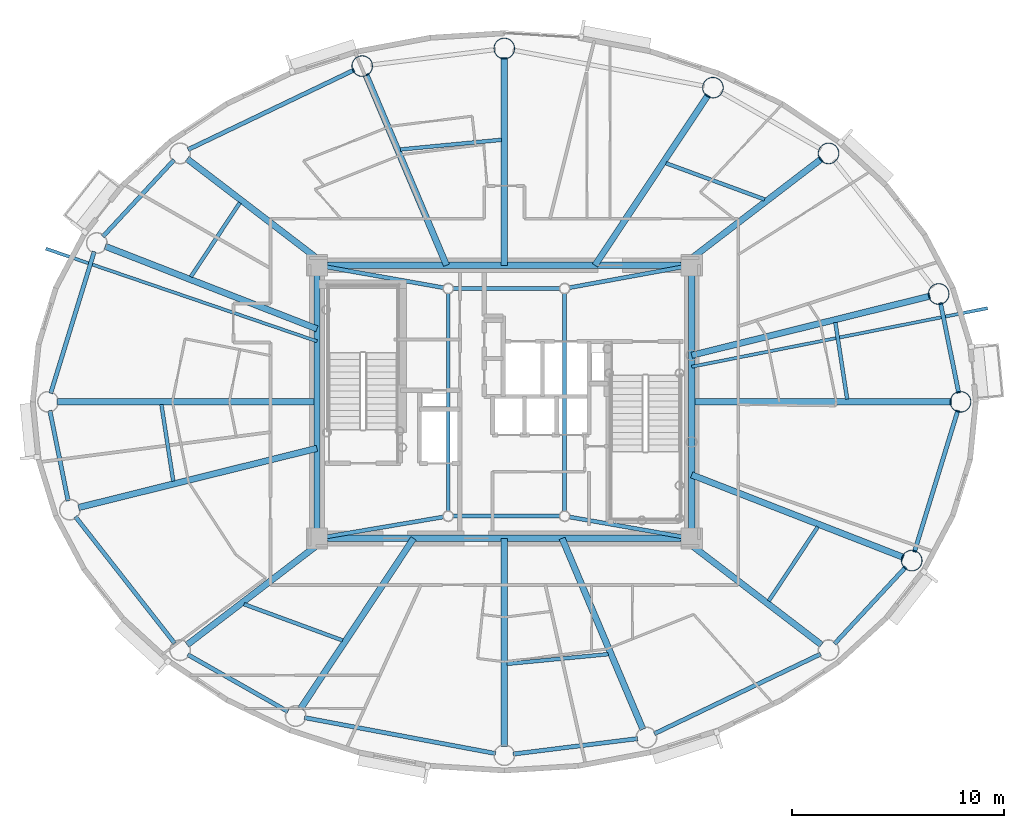
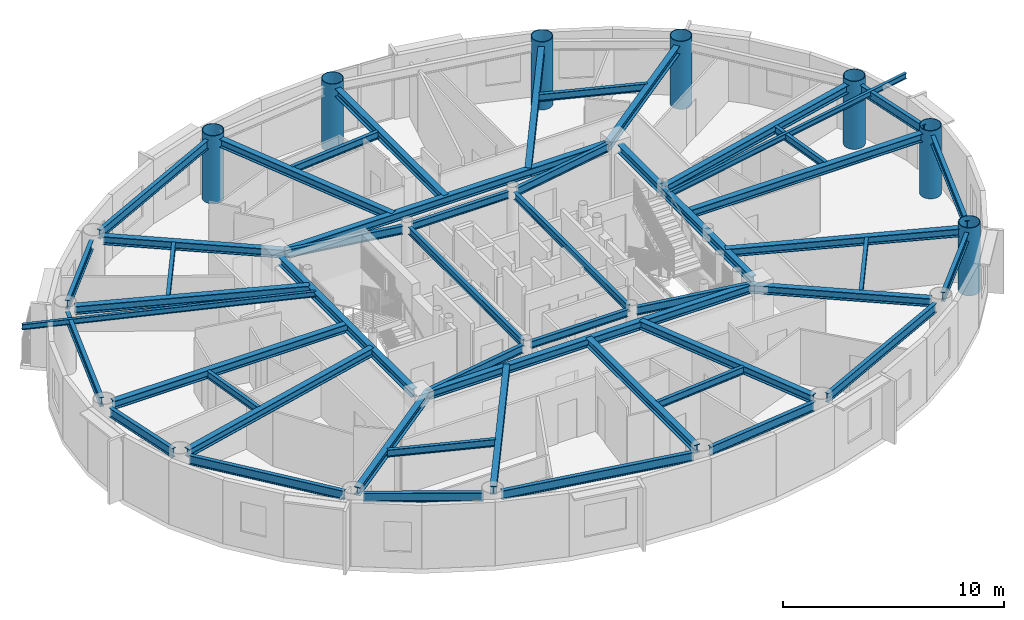
# One storey, part 2 of 17: 50 beams, 7 columns.
"""IFC4 building model written with IfcOpenShell, lengths in metres."""

import ifcopenshell
import ifcopenshell.guid

model = None  # the IFC model being written
_history = None  # IfcOwnerHistory: only IFC2X3 demands one
_inside = {}  # id of a spatial element -> (the spatial element, [elements in it])
_under = {}  # id of a project, library or spatial element -> (it, [spatial elements below it])
_declared = {}  # id of a project -> (the project, [libraries it declares])
_typed = {}  # id of a type object -> (the type object, [elements of that type])
_made_of = {}  # id of a material, layer set ... -> (it, [elements and type objects made of it])


def new_model(schema):
    """Start an empty IFC model of exactly this schema.

    Asked for "IFC4X3", IfcOpenShell would pick the latest addendum, in which some entities
    have other attributes; the version numbers below select the first issue.
    IFC2X3 requires an IfcOwnerHistory on every rooted entity: one is made here for all.
    """
    global model, _history
    if schema == "IFC4X3":
        model = ifcopenshell.file(schema_version=(4, 3, 0, 0))
    else:
        model = ifcopenshell.file(schema=schema)
    _inside.clear()
    _under.clear()
    _declared.clear()
    _typed.clear()
    _made_of.clear()
    _history = None
    if model.schema == "IFC2X3":
        org = make("IfcOrganization", Name="unknown")
        user = make(
            "IfcPersonAndOrganization",
            ThePerson=make("IfcPerson", FamilyName="unknown"),
            TheOrganization=org,
        )
        app = make(
            "IfcApplication",
            ApplicationDeveloper=org,
            Version="unknown",
            ApplicationFullName="unknown",
            ApplicationIdentifier="unknown",
        )
        _history = make(
            "IfcOwnerHistory",
            OwningUser=user,
            OwningApplication=app,
            ChangeAction="ADDED",
            CreationDate=0,
        )
    return model


def make(cls, **values):
    """One entity of the class cls with the attributes given. An attribute that is None is left unset."""
    return model.create_entity(
        cls, **{name: value for name, value in values.items() if value is not None}
    )


def rooted(cls, **values):
    """An entity with a GlobalId (a new one), such as an element, a storey or a relation."""
    return make(cls, GlobalId=ifcopenshell.guid.new(), OwnerHistory=_history, **values)


def si_unit(unit_type, name, prefix=None):
    """IfcSIUnit, for example si_unit("LENGTHUNIT", "METRE", prefix="MILLI")."""
    return make("IfcSIUnit", UnitType=unit_type, Prefix=prefix, Name=name)


def assignment(units):
    """IfcUnitAssignment: the units of a project."""
    return None if units is None else make("IfcUnitAssignment", Units=units)


def point(xyz):
    """IfcCartesianPoint."""
    return None if xyz is None else make("IfcCartesianPoint", Coordinates=xyz)


def direction(xyz):
    """IfcDirection."""
    return None if xyz is None else make("IfcDirection", DirectionRatios=xyz)


def frame(location, z_axis=None, x_axis=None):
    """IfcAxis2Placement3D, a coordinate frame: its origin and axes. An axis left out is left unset."""
    return make(
        "IfcAxis2Placement3D",
        Location=point(location),
        Axis=direction(z_axis),
        RefDirection=direction(x_axis),
    )


def frame_2d(location, x_axis=None):
    """IfcAxis2Placement2D, a coordinate frame in the plane: its origin and x axis."""
    return make(
        "IfcAxis2Placement2D", Location=point(location), RefDirection=direction(x_axis)
    )


def origin():
    """The frame at (0, 0, 0) with its axes left unset."""
    return frame((0.0, 0.0, 0.0))


def origin_2d():
    """The frame at (0, 0) in the plane with its x axis left unset."""
    return frame_2d((0.0, 0.0))


def place(relative_to, where):
    """IfcLocalPlacement: puts the frame where relative to a parent placement (None: the world)."""
    return make(
        "IfcLocalPlacement", PlacementRelTo=relative_to, RelativePlacement=where
    )


def context(
    kind, dimensions, precision=None, world=None, true_north=None, identifier=None
):
    """IfcGeometricRepresentationContext, for example the 3D "Model" context."""
    return make(
        "IfcGeometricRepresentationContext",
        ContextIdentifier=identifier,
        ContextType=kind,
        CoordinateSpaceDimension=dimensions,
        Precision=precision,
        WorldCoordinateSystem=world,
        TrueNorth=true_north,
    )


def subcontext(parent, identifier, kind, view, scale=None):
    """IfcGeometricRepresentationSubContext, for example "Body" below "Model"."""
    return make(
        "IfcGeometricRepresentationSubContext",
        ContextIdentifier=identifier,
        ContextType=kind,
        ParentContext=parent,
        TargetScale=scale,
        TargetView=view,
    )


def project(units=None, contexts=None):
    """IfcProject with its units and contexts."""
    return rooted(
        "IfcProject",
        Name="project",
        RepresentationContexts=contexts,
        UnitsInContext=assignment(units),
    )


def spatial(cls, under=None, at=None, **own):
    """A site, building, storey or space (cls), placed at a placement, below another one or the project."""
    s = rooted(cls, ObjectPlacement=at, **own)
    if under is not None:
        _under.setdefault(under.id(), (under, []))[1].append(s)
    return s


def profile(cls, at=None, kind="AREA", **sizes):
    """A parametric profile (cls). Its sizes go by their IFC names, for example OverallWidth=200.0."""
    return make(cls, ProfileType=kind, Position=at, **sizes)


def hollow_circle(**sizes):
    """IfcCircleHollowProfileDef."""
    return profile("IfcCircleHollowProfileDef", **sizes)


def i_section(**sizes):
    """IfcIShapeProfileDef."""
    return profile("IfcIShapeProfileDef", **sizes)


def extrude(swept, where, along, depth):
    """IfcExtrudedAreaSolid: the profile swept, set in the frame where, extruded along a direction by depth."""
    return make(
        "IfcExtrudedAreaSolid",
        SweptArea=swept,
        Position=where,
        ExtrudedDirection=direction(along),
        Depth=depth,
    )


def shape(context_of_items, identifier, shape_type, items):
    """IfcShapeRepresentation: the items that make up one representation, for example the "Body"."""
    return make(
        "IfcShapeRepresentation",
        ContextOfItems=context_of_items,
        RepresentationIdentifier=identifier,
        RepresentationType=shape_type,
        Items=items,
    )


def material(Name=None, Category=None):
    """IfcMaterial."""
    return make("IfcMaterial", Name=Name, Category=Category)


def material_profile(
    of_material, cross_section, Name=None, Category=None, Priority=None
):
    """IfcMaterialProfile: a cross section and its material."""
    return make(
        "IfcMaterialProfile",
        Name=Name,
        Material=of_material,
        Profile=cross_section,
        Priority=Priority,
        Category=Category,
    )


def profile_set(profiles, Name=None, composite=None):
    """IfcMaterialProfileSet."""
    return make(
        "IfcMaterialProfileSet",
        Name=Name,
        MaterialProfiles=profiles,
        CompositeProfile=composite,
    )


def made_of(thing, what):
    """Note that an element or type object is made of a material, layer set ...; save() writes the relation."""
    if what is not None:
        _made_of.setdefault(what.id(), (what, []))[1].append(thing)
    return thing


def type_object(cls, material=None, **own):
    """A type object (cls), such as IfcWallType, which elements share."""
    return made_of(rooted(cls, **own), material)


def element(
    cls,
    number,
    at=None,
    inside=None,
    cuts=None,
    type_object=None,
    material=None,
    context=None,
    identifier="Body",
    shape_type=None,
    held_by="IfcProductDefinitionShape",
    body=None,
    shapes=None,
    **own,
):
    """One element of the class cls, such as IfcWall. Its Tag is "e" and its number.

    at: its placement. inside: the storey or other place that contains it. cuts: it is an
    opening in that element (IfcRelVoidsElement). A single representation is given by context,
    identifier, shape_type and body (its items); several are given by shapes. held_by: the class
    of the entity that holds the representations. save() writes the other relations.
    """
    e = rooted(cls, Tag="e%d" % number, ObjectPlacement=at, **own)
    if body is not None:
        shapes = [shape(context, identifier, shape_type, body)]
    if shapes is not None:
        e.Representation = make(held_by, Representations=shapes)
    if inside is not None:
        _inside.setdefault(inside.id(), (inside, []))[1].append(e)
    if cuts is not None:
        rooted(
            "IfcRelVoidsElement", RelatingBuildingElement=cuts, RelatedOpeningElement=e
        )
    if type_object is not None:
        _typed.setdefault(type_object.id(), (type_object, []))[1].append(e)
    return made_of(e, material)


def aggregate(whole, parts):
    """IfcRelAggregates: a whole, such as a stair, and the parts it consists of."""
    return rooted("IfcRelAggregates", RelatingObject=whole, RelatedObjects=parts)


def save(model, path):
    """Write the relations noted so far, then the file.

    IfcRelAggregates (storeys below a building ...), IfcRelContainedInSpatialStructure (elements
    in a storey), IfcRelDefinesByType, IfcRelAssociatesMaterial and IfcRelDeclares: one each for
    every whole, place, type object, material and project.
    """
    for whole, parts in _under.values():
        aggregate(whole, parts)
    for where, things in _inside.values():
        rooted(
            "IfcRelContainedInSpatialStructure",
            RelatedElements=things,
            RelatingStructure=where,
        )
    for kind, things in _typed.values():
        rooted("IfcRelDefinesByType", RelatedObjects=things, RelatingType=kind)
    for what, things in _made_of.values():
        rooted("IfcRelAssociatesMaterial", RelatedObjects=things, RelatingMaterial=what)
    for by, libraries in _declared.values():
        rooted("IfcRelDeclares", RelatingContext=by, RelatedDefinitions=libraries)
    model.write(path)


model = new_model("IFC4")

# Units and contexts
model_context = context("Model", 3, precision=1e-05, world=origin(), true_north=direction((0.0, 1.0)))
body_context = subcontext(model_context, "Body", "Model", "MODEL_VIEW")
ifc_project = project(units=[si_unit("LENGTHUNIT", "METRE"), si_unit("AREAUNIT", "SQUARE_METRE"), si_unit("VOLUMEUNIT", "CUBIC_METRE"), si_unit("PLANEANGLEUNIT", "RADIAN"), si_unit("MASSUNIT", "GRAM", prefix="KILO")], contexts=[model_context])

# Site, building, storey
site_placement = place(None, origin())
site = spatial("IfcSite", under=ifc_project, at=site_placement, CompositionType="ELEMENT")
building_placement = place(site_placement, origin())
building = spatial("IfcBuilding", under=site, at=building_placement, Name="Linh Dai School and Residence Tower", CompositionType="ELEMENT")
storey_placement = place(building_placement, frame((0.0, 0.0, 299.25)))
storey = spatial("IfcBuildingStorey", under=building, at=storey_placement, Name="L74", CompositionType="ELEMENT", Elevation=299.25)

# Columns
ifc_material = material(Name="Structural Steel S355JR", Category="steel")
ifc_material_profile_1 = material_profile(ifc_material, hollow_circle(Radius=0.5, WallThickness=0.031982421875, at=origin_2d()), Name="CHS 1000x32")
ifc_profile_set_1 = profile_set([ifc_material_profile_1], Name="Structural Steel S355JR")
column_type = type_object("IfcColumnType", Name="COL-MC6", PredefinedType="COLUMN", material=ifc_profile_set_1)
for number, where, z_axis, x_axis, name in (
    (1, (57.550048828125, 27.0, 0.0), (0.0, 0.0, 1.0), (1.0, 0.0, 0.0), "L74 Perimeter CFT Mega-Column MC01"),
    (2, (56.5185546875, 32.094482421875, 0.0), (0.0, 0.0, 1.0), (1.0, 0.0, 0.0), "L74 Perimeter CFT Mega-Column MC02"),
    (3, (51.315185546875, 38.7333984375, 0.0), (0.0, 0.0, 1.0), (1.0, 0.0, 0.0), "L74 Perimeter CFT Mega-Column MC03"),
    (4, (45.8544921875, 41.8388671875, 0.0), (0.0, 0.0, 1.0), (1.0, 0.0, 0.0), "L74 Perimeter CFT Mega-Column MC04"),
    (5, (36.0, 43.68994140625, 0.0), (0.0, 0.0, 1.0), (1.0, 0.0, 0.0), "L74 Perimeter CFT Mega-Column MC05"),
    (6, (29.28759765625, 42.857666015625, 0.0), (0.0, 0.0, 1.0), (1.0, 0.0, 0.0), "L74 Perimeter CFT Mega-Column MC06"),
    (7, (55.24609375, 19.50048828125, 0.0), (0.0, 0.0, 1.0), (1.0, 0.0, 0.0), "L74 Perimeter CFT Mega-Column MC16"),
):
    element("IfcColumn", number, at=place(storey_placement, frame(where, z_axis=z_axis, x_axis=x_axis)), inside=storey, type_object=column_type, Name=name, PredefinedType="COLUMN", context=body_context, shape_type="SweptSolid", body=[
        extrude(hollow_circle(Radius=0.5, WallThickness=0.031982421875, at=origin_2d()), origin(), (0.0, 0.0, 1.0), 3.75),
    ])

# Beams
ifc_material_profile_2 = material_profile(ifc_material, i_section(OverallWidth=0.14990234375, OverallDepth=0.300048828125, WebThickness=0.007080078125, FlangeThickness=0.0107421875, at=origin_2d()), Name="IPE 300")
ifc_profile_set_2 = profile_set([ifc_material_profile_2], Name="Structural Steel S355JR")
beam_type_1 = type_object("IfcBeamType", Name="BM-BALC-CANT", PredefinedType="BEAM", material=ifc_profile_set_2)
beam_1_placement = place(storey_placement, frame((44.85009765625, 28.657958984375, 3.35009765625), z_axis=(0.98098726072, 0.194072136859, 0.0), x_axis=(-0.194072136859, 0.98098726072, 0.0)))
element("IfcBeam", 8, at=beam_1_placement, inside=storey, type_object=beam_type_1, Name="L75 Balcony Continuous Cantilever Beam 02", PredefinedType="BEAM", context=body_context, shape_type="SweptSolid", body=[
    extrude(i_section(OverallWidth=0.14990234375, OverallDepth=0.300048828125, WebThickness=0.007080078125, FlangeThickness=0.0107421875, at=origin_2d()), origin(), (0.0, 0.0, 1.0), 14.244140625),
])
beam_2_placement = place(storey_placement, frame((27.14990234375, 29.86083984375, 3.35009765625), z_axis=(-0.946337745038, 0.323179319136, 0.0), x_axis=(-0.323179319136, -0.946337745038, 0.0)))
element("IfcBeam", 9, at=beam_2_placement, inside=storey, type_object=beam_type_1, Name="L75 Balcony Continuous Cantilever Beam 18", PredefinedType="BEAM", context=body_context, shape_type="SweptSolid", body=[
    extrude(i_section(OverallWidth=0.14990234375, OverallDepth=0.300048828125, WebThickness=0.007080078125, FlangeThickness=0.0107421875, at=origin_2d()), origin(), (0.0, 0.0, 1.0), 13.532958984375),
])
ifc_material_profile_3 = material_profile(ifc_material, i_section(OverallWidth=0.199951171875, OverallDepth=0.5, WebThickness=0.01025390625, FlangeThickness=0.01611328125, FilletRadius=0.02099609375, at=origin_2d()), Name="IPE 500")
ifc_profile_set_3 = profile_set([ifc_material_profile_3], Name="Structural Steel S355JR")
beam_type_2 = type_object("IfcBeamType", Name="BM-RB50", PredefinedType="BEAM", material=ifc_profile_set_3)
beam_3_placement = place(storey_placement, frame((57.466552734375, 27.41162109375, 3.25), z_axis=(-0.198442801529, 0.980112470343, 0.0), x_axis=(-0.980112470343, -0.198442801529, 0.0)))
element("IfcBeam", 10, at=beam_3_placement, inside=storey, type_object=beam_type_2, Name="L74 Perimeter Elliptical Ring Beam 01", PredefinedType="BEAM", context=body_context, shape_type="SweptSolid", body=[
    extrude(i_section(OverallWidth=0.199951171875, OverallDepth=0.5, WebThickness=0.01025390625, FlangeThickness=0.01611328125, FilletRadius=0.02099609375, at=origin_2d()), origin(), (0.0, 0.0, 1.0), 4.357666015625),
])
beam_4_placement = place(storey_placement, frame((28.908935546875, 42.67626953125, 3.25), z_axis=(-0.901728757887, -0.4323022637, 0.0), x_axis=(0.4323022637, -0.901728757887, 0.0)))
element("IfcBeam", 11, at=beam_4_placement, inside=storey, type_object=beam_type_2, Name="L74 Perimeter Elliptical Ring Beam 06", PredefinedType="BEAM", context=body_context, shape_type="SweptSolid", body=[
    extrude(i_section(OverallWidth=0.199951171875, OverallDepth=0.5, WebThickness=0.01025390625, FlangeThickness=0.01611328125, FilletRadius=0.02099609375, at=origin_2d()), origin(), (0.0, 0.0, 1.0), 8.700439453125),
])
beam_5_placement = place(storey_placement, frame((20.399169921875, 38.425537109375, 3.25), z_axis=(-0.680415064526, -0.7328269509, 0.0), x_axis=(0.7328269509, -0.680415064526, 0.0)))
element("IfcBeam", 12, at=beam_5_placement, inside=storey, type_object=beam_type_2, Name="L74 Perimeter Elliptical Ring Beam 07", PredefinedType="BEAM", context=body_context, shape_type="SweptSolid", body=[
    extrude(i_section(OverallWidth=0.199951171875, OverallDepth=0.5, WebThickness=0.01025390625, FlangeThickness=0.01611328125, FilletRadius=0.02099609375, at=origin_2d()), origin(), (0.0, 0.0, 1.0), 4.9375),
])
beam_6_placement = place(storey_placement, frame((16.630615234375, 34.097900390625, 3.25), z_axis=(-0.293681749834, -0.955903253376, 0.0), x_axis=(0.955903253376, -0.293681749834, 0.0)))
element("IfcBeam", 13, at=beam_6_placement, inside=storey, type_object=beam_type_2, Name="L74 Perimeter Elliptical Ring Beam 08", PredefinedType="BEAM", context=body_context, shape_type="SweptSolid", body=[
    extrude(i_section(OverallWidth=0.199951171875, OverallDepth=0.5, WebThickness=0.01025390625, FlangeThickness=0.01611328125, FilletRadius=0.02099609375, at=origin_2d()), origin(), (0.0, 0.0, 1.0), 7.00537109375),
])
beam_7_placement = place(storey_placement, frame((14.533447265625, 26.58837890625, 3.25), z_axis=(0.198442801529, -0.980112470343, 0.0), x_axis=(0.980112470343, 0.198442801529, 0.0)))
element("IfcBeam", 14, at=beam_7_placement, inside=storey, type_object=beam_type_2, Name="L74 Perimeter Elliptical Ring Beam 09", PredefinedType="BEAM", context=body_context, shape_type="SweptSolid", body=[
    extrude(i_section(OverallWidth=0.199951171875, OverallDepth=0.5, WebThickness=0.01025390625, FlangeThickness=0.01611328125, FilletRadius=0.02099609375, at=origin_2d()), origin(), (0.0, 0.0, 1.0), 4.357666015625),
])
beam_8_placement = place(storey_placement, frame((15.740478515625, 21.574951171875, 3.25), z_axis=(0.616882739554, -0.787055071542, 0.0), x_axis=(0.787055071542, 0.616882739554, 0.0)))
element("IfcBeam", 15, at=beam_8_placement, inside=storey, type_object=beam_type_2, Name="L74 Perimeter Elliptical Ring Beam 10", PredefinedType="BEAM", context=body_context, shape_type="SweptSolid", body=[
    extrude(i_section(OverallWidth=0.199951171875, OverallDepth=0.5, WebThickness=0.01025390625, FlangeThickness=0.01611328125, FilletRadius=0.02099609375, at=origin_2d()), origin(), (0.0, 0.0, 1.0), 7.59521484375),
])
beam_9_placement = place(storey_placement, frame((21.050048828125, 15.05908203125, 3.25), z_axis=(0.869265548778, -0.494345431564, 0.0), x_axis=(0.494345431564, 0.869265548778, 0.0)))
element("IfcBeam", 16, at=beam_9_placement, inside=storey, type_object=beam_type_2, Name="L74 Perimeter Elliptical Ring Beam 11", PredefinedType="BEAM", context=body_context, shape_type="SweptSolid", body=[
    extrude(i_section(OverallWidth=0.199951171875, OverallDepth=0.5, WebThickness=0.01025390625, FlangeThickness=0.01611328125, FilletRadius=0.02099609375, at=origin_2d()), origin(), (0.0, 0.0, 1.0), 5.44189453125),
])
beam_10_placement = place(storey_placement, frame((26.558349609375, 12.083740234375, 3.25), z_axis=(0.982805333306, -0.184644731378, 0.0), x_axis=(0.184644731378, 0.982805333306, 0.0)))
element("IfcBeam", 17, at=beam_10_placement, inside=storey, type_object=beam_type_2, Name="L74 Perimeter Elliptical Ring Beam 12", PredefinedType="BEAM", context=body_context, shape_type="SweptSolid", body=[
    extrude(i_section(OverallWidth=0.199951171875, OverallDepth=0.5, WebThickness=0.01025390625, FlangeThickness=0.01611328125, FilletRadius=0.02099609375, at=origin_2d()), origin(), (0.0, 0.0, 1.0), 9.186767578125),
])
beam_11_placement = place(storey_placement, frame((36.416748046875, 10.361572265625, 3.25), z_axis=(0.992399134443, 0.123060789678, 0.0), x_axis=(-0.123060789678, 0.992399134443, 0.0)))
element("IfcBeam", 18, at=beam_11_placement, inside=storey, type_object=beam_type_2, Name="L74 Perimeter Elliptical Ring Beam 13", PredefinedType="BEAM", context=body_context, shape_type="SweptSolid", body=[
    extrude(i_section(OverallWidth=0.199951171875, OverallDepth=0.5, WebThickness=0.01025390625, FlangeThickness=0.01611328125, FilletRadius=0.02099609375, at=origin_2d()), origin(), (0.0, 0.0, 1.0), 5.923828125),
])
beam_12_placement = place(storey_placement, frame((43.091064453125, 11.32373046875, 3.25), z_axis=(0.901728757887, 0.4323022637, 0.0), x_axis=(-0.4323022637, 0.901728757887, 0.0)))
element("IfcBeam", 19, at=beam_12_placement, inside=storey, type_object=beam_type_2, Name="L74 Perimeter Elliptical Ring Beam 14", PredefinedType="BEAM", context=body_context, shape_type="SweptSolid", body=[
    extrude(i_section(OverallWidth=0.199951171875, OverallDepth=0.5, WebThickness=0.01025390625, FlangeThickness=0.01611328125, FilletRadius=0.02099609375, at=origin_2d()), origin(), (0.0, 0.0, 1.0), 8.700439453125),
])
beam_13_placement = place(storey_placement, frame((51.600830078125, 15.574462890625, 3.25), z_axis=(0.680415064526, 0.7328269509, 0.0), x_axis=(-0.7328269509, 0.680415064526, 0.0)))
element("IfcBeam", 20, at=beam_13_placement, inside=storey, type_object=beam_type_2, Name="L74 Perimeter Elliptical Ring Beam 15", PredefinedType="BEAM", context=body_context, shape_type="SweptSolid", body=[
    extrude(i_section(OverallWidth=0.199951171875, OverallDepth=0.5, WebThickness=0.01025390625, FlangeThickness=0.01611328125, FilletRadius=0.02099609375, at=origin_2d()), origin(), (0.0, 0.0, 1.0), 4.9375),
])
beam_14_placement = place(storey_placement, frame((55.369384765625, 19.902099609375, 3.25), z_axis=(0.293681749834, 0.955903253376, 0.0), x_axis=(-0.955903253376, 0.293681749834, 0.0)))
element("IfcBeam", 21, at=beam_14_placement, inside=storey, type_object=beam_type_2, Name="L74 Perimeter Elliptical Ring Beam 16", PredefinedType="BEAM", context=body_context, shape_type="SweptSolid", body=[
    extrude(i_section(OverallWidth=0.199951171875, OverallDepth=0.5, WebThickness=0.01025390625, FlangeThickness=0.01611328125, FilletRadius=0.02099609375, at=origin_2d()), origin(), (0.0, 0.0, 1.0), 7.00537109375),
])
ifc_material_profile_4 = material_profile(ifc_material, i_section(OverallWidth=0.300048828125, OverallDepth=0.449951171875, WebThickness=0.013916015625, FlangeThickness=0.02587890625, FilletRadius=0.027099609375, at=origin_2d()), Name="HEB 450")
ifc_profile_set_4 = profile_set([ifc_material_profile_4], Name="Structural Steel S355JR")
beam_type_3 = type_object("IfcBeamType", Name="BM-RG45", PredefinedType="BEAM", material=ifc_profile_set_4)
beam_15_placement = place(storey_placement, frame((27.570068359375, 20.550048828125, 3.27490234375), z_axis=(1.0, 0.0, 0.0), x_axis=(0.0, 1.0, 0.0)))
element("IfcBeam", 22, at=beam_15_placement, inside=storey, type_object=beam_type_3, Name="L74 Core Perimeter Coupling Girder 1", PredefinedType="BEAM", context=body_context, shape_type="SweptSolid", body=[
    extrude(i_section(OverallWidth=0.300048828125, OverallDepth=0.449951171875, WebThickness=0.013916015625, FlangeThickness=0.02587890625, FilletRadius=0.027099609375, at=origin_2d()), origin(), (0.0, 0.0, 1.0), 16.85986328125),
])
beam_16_placement = place(storey_placement, frame((44.85009765625, 20.969970703125, 3.27490234375), z_axis=(0.0, 1.0, 0.0), x_axis=(-1.0, 0.0, 0.0)))
element("IfcBeam", 23, at=beam_16_placement, inside=storey, type_object=beam_type_3, Name="L74 Core Perimeter Coupling Girder 2", PredefinedType="BEAM", context=body_context, shape_type="SweptSolid", body=[
    extrude(i_section(OverallWidth=0.300048828125, OverallDepth=0.449951171875, WebThickness=0.013916015625, FlangeThickness=0.02587890625, FilletRadius=0.027099609375, at=origin_2d()), origin(), (0.0, 0.0, 1.0), 12.06005859375),
])
beam_17_placement = place(storey_placement, frame((44.429931640625, 33.449951171875, 3.27490234375), z_axis=(-1.0, 0.0, 0.0), x_axis=(0.0, -1.0, 0.0)))
element("IfcBeam", 24, at=beam_17_placement, inside=storey, type_object=beam_type_3, Name="L74 Core Perimeter Coupling Girder 3", PredefinedType="BEAM", context=body_context, shape_type="SweptSolid", body=[
    extrude(i_section(OverallWidth=0.300048828125, OverallDepth=0.449951171875, WebThickness=0.013916015625, FlangeThickness=0.02587890625, FilletRadius=0.027099609375, at=origin_2d()), origin(), (0.0, 0.0, 1.0), 16.85986328125),
])
beam_18_placement = place(storey_placement, frame((27.14990234375, 33.030029296875, 3.27490234375), z_axis=(0.0, -1.0, 0.0), x_axis=(1.0, 0.0, 0.0)))
element("IfcBeam", 25, at=beam_18_placement, inside=storey, type_object=beam_type_3, Name="L74 Core Perimeter Coupling Girder 4", PredefinedType="BEAM", context=body_context, shape_type="SweptSolid", body=[
    extrude(i_section(OverallWidth=0.300048828125, OverallDepth=0.449951171875, WebThickness=0.013916015625, FlangeThickness=0.02587890625, FilletRadius=0.027099609375, at=origin_2d()), origin(), (0.0, 0.0, 1.0), 12.06005859375),
])
beam_19_placement = place(storey_placement, frame((44.85009765625, 27.0, 3.27490234375), z_axis=(1.0, 0.0, 0.0), x_axis=(0.0, 1.0, 0.0)))
element("IfcBeam", 26, at=beam_19_placement, inside=storey, type_object=beam_type_3, Name="L74 Primary Radial Floor Girder 01", PredefinedType="BEAM", context=body_context, shape_type="SweptSolid", body=[
    extrude(i_section(OverallWidth=0.300048828125, OverallDepth=0.449951171875, WebThickness=0.013916015625, FlangeThickness=0.02587890625, FilletRadius=0.027099609375, at=origin_2d()), origin(), (0.0, 0.0, 1.0), 12.27978515625),
])
beam_20_placement = place(storey_placement, frame((44.85009765625, 29.197265625, 3.27490234375), z_axis=(0.970532368701, 0.240970789315, 0.0), x_axis=(-0.240970789315, 0.970532368701, 0.0)))
element("IfcBeam", 27, at=beam_20_placement, inside=storey, type_object=beam_type_3, Name="L74 Primary Radial Floor Girder 02", PredefinedType="BEAM", context=body_context, shape_type="SweptSolid", body=[
    extrude(i_section(OverallWidth=0.300048828125, OverallDepth=0.449951171875, WebThickness=0.013916015625, FlangeThickness=0.02587890625, FilletRadius=0.027099609375, at=origin_2d()), origin(), (0.0, 0.0, 1.0), 11.6025390625),
])
beam_21_placement = place(storey_placement, frame((44.4189453125, 33.449951171875, 3.27490234375), z_axis=(0.793802616583, 0.608175472956, 0.0), x_axis=(-0.608175472956, 0.793802616583, 0.0)))
element("IfcBeam", 28, at=beam_21_placement, inside=storey, type_object=beam_type_3, Name="L74 Primary Radial Floor Girder 03", PredefinedType="BEAM", context=body_context, shape_type="SweptSolid", body=[
    extrude(i_section(OverallWidth=0.300048828125, OverallDepth=0.449951171875, WebThickness=0.013916015625, FlangeThickness=0.02587890625, FilletRadius=0.027099609375, at=origin_2d()), origin(), (0.0, 0.0, 1.0), 8.267578125),
])
beam_22_placement = place(storey_placement, frame((40.283447265625, 33.449951171875, 3.27490234375), z_axis=(0.553210566646, 0.833041456922, 0.0), x_axis=(-0.833041456922, 0.553210566646, 0.0)))
element("IfcBeam", 29, at=beam_22_placement, inside=storey, type_object=beam_type_3, Name="L74 Primary Radial Floor Girder 04", PredefinedType="BEAM", context=body_context, shape_type="SweptSolid", body=[
    extrude(i_section(OverallWidth=0.300048828125, OverallDepth=0.449951171875, WebThickness=0.013916015625, FlangeThickness=0.02587890625, FilletRadius=0.027099609375, at=origin_2d()), origin(), (0.0, 0.0, 1.0), 9.650146484375),
])
beam_23_placement = place(storey_placement, frame((36.0, 33.449951171875, 3.27490234375), z_axis=(0.0, 1.0, 0.0), x_axis=(-1.0, 0.0, 0.0)))
element("IfcBeam", 30, at=beam_23_placement, inside=storey, type_object=beam_type_3, Name="L74 Primary Radial Floor Girder 05", PredefinedType="BEAM", context=body_context, shape_type="SweptSolid", body=[
    extrude(i_section(OverallWidth=0.300048828125, OverallDepth=0.449951171875, WebThickness=0.013916015625, FlangeThickness=0.02587890625, FilletRadius=0.027099609375, at=origin_2d()), origin(), (0.0, 0.0, 1.0), 9.820068359375),
])
beam_24_placement = place(storey_placement, frame((33.269775390625, 33.449951171875, 3.27490234375), z_axis=(-0.389794463678, 0.920901881899, 0.0), x_axis=(-0.920901881899, -0.389794463678, 0.0)))
element("IfcBeam", 31, at=beam_24_placement, inside=storey, type_object=beam_type_3, Name="L74 Primary Radial Floor Girder 06", PredefinedType="BEAM", context=body_context, shape_type="SweptSolid", body=[
    extrude(i_section(OverallWidth=0.300048828125, OverallDepth=0.449951171875, WebThickness=0.013916015625, FlangeThickness=0.02587890625, FilletRadius=0.027099609375, at=origin_2d()), origin(), (0.0, 0.0, 1.0), 9.7958984375),
])
beam_25_placement = place(storey_placement, frame((27.5810546875, 33.449951171875, 3.27490234375), z_axis=(-0.793802616583, 0.608175472956, 0.0), x_axis=(-0.608175472956, -0.793802616583, 0.0)))
element("IfcBeam", 32, at=beam_25_placement, inside=storey, type_object=beam_type_3, Name="L74 Primary Radial Floor Girder 07", PredefinedType="BEAM", context=body_context, shape_type="SweptSolid", body=[
    extrude(i_section(OverallWidth=0.300048828125, OverallDepth=0.449951171875, WebThickness=0.013916015625, FlangeThickness=0.02587890625, FilletRadius=0.027099609375, at=origin_2d()), origin(), (0.0, 0.0, 1.0), 8.267578125),
])
beam_26_placement = place(storey_placement, frame((27.14990234375, 30.448486328125, 3.27490234375), z_axis=(-0.931760809838, 0.363072710693, 0.0), x_axis=(-0.363072710693, -0.931760809838, 0.0)))
element("IfcBeam", 33, at=beam_26_placement, inside=storey, type_object=beam_type_3, Name="L74 Primary Radial Floor Girder 08", PredefinedType="BEAM", context=body_context, shape_type="SweptSolid", body=[
    extrude(i_section(OverallWidth=0.300048828125, OverallDepth=0.449951171875, WebThickness=0.013916015625, FlangeThickness=0.02587890625, FilletRadius=0.027099609375, at=origin_2d()), origin(), (0.0, 0.0, 1.0), 10.7373046875),
])
beam_27_placement = place(storey_placement, frame((27.14990234375, 27.0, 3.27490234375), z_axis=(-1.0, 0.0, 0.0), x_axis=(0.0, -1.0, 0.0)))
element("IfcBeam", 34, at=beam_27_placement, inside=storey, type_object=beam_type_3, Name="L74 Primary Radial Floor Girder 09", PredefinedType="BEAM", context=body_context, shape_type="SweptSolid", body=[
    extrude(i_section(OverallWidth=0.300048828125, OverallDepth=0.449951171875, WebThickness=0.013916015625, FlangeThickness=0.02587890625, FilletRadius=0.027099609375, at=origin_2d()), origin(), (0.0, 0.0, 1.0), 12.27978515625),
])
beam_28_placement = place(storey_placement, frame((27.14990234375, 24.802734375, 3.27490234375), z_axis=(-0.970532368701, -0.240970789315, 0.0), x_axis=(0.240970789315, -0.970532368701, 0.0)))
element("IfcBeam", 35, at=beam_28_placement, inside=storey, type_object=beam_type_3, Name="L74 Primary Radial Floor Girder 10", PredefinedType="BEAM", context=body_context, shape_type="SweptSolid", body=[
    extrude(i_section(OverallWidth=0.300048828125, OverallDepth=0.449951171875, WebThickness=0.013916015625, FlangeThickness=0.02587890625, FilletRadius=0.027099609375, at=origin_2d()), origin(), (0.0, 0.0, 1.0), 11.6025390625),
])
beam_29_placement = place(storey_placement, frame((27.5810546875, 20.550048828125, 3.27490234375), z_axis=(-0.793802616583, -0.608175472956, 0.0), x_axis=(0.608175472956, -0.793802616583, 0.0)))
element("IfcBeam", 36, at=beam_29_placement, inside=storey, type_object=beam_type_3, Name="L74 Primary Radial Floor Girder 11", PredefinedType="BEAM", context=body_context, shape_type="SweptSolid", body=[
    extrude(i_section(OverallWidth=0.300048828125, OverallDepth=0.449951171875, WebThickness=0.013916015625, FlangeThickness=0.02587890625, FilletRadius=0.027099609375, at=origin_2d()), origin(), (0.0, 0.0, 1.0), 8.267578125),
])
beam_30_placement = place(storey_placement, frame((31.716552734375, 20.550048828125, 3.27490234375), z_axis=(-0.553210566646, -0.833041456922, 0.0), x_axis=(0.833041456922, -0.553210566646, 0.0)))
element("IfcBeam", 37, at=beam_30_placement, inside=storey, type_object=beam_type_3, Name="L74 Primary Radial Floor Girder 12", PredefinedType="BEAM", context=body_context, shape_type="SweptSolid", body=[
    extrude(i_section(OverallWidth=0.300048828125, OverallDepth=0.449951171875, WebThickness=0.013916015625, FlangeThickness=0.02587890625, FilletRadius=0.027099609375, at=origin_2d()), origin(), (0.0, 0.0, 1.0), 9.650146484375),
])
beam_31_placement = place(storey_placement, frame((36.0, 20.550048828125, 3.27490234375), z_axis=(0.0, -1.0, 0.0), x_axis=(1.0, 0.0, 0.0)))
element("IfcBeam", 38, at=beam_31_placement, inside=storey, type_object=beam_type_3, Name="L74 Primary Radial Floor Girder 13", PredefinedType="BEAM", context=body_context, shape_type="SweptSolid", body=[
    extrude(i_section(OverallWidth=0.300048828125, OverallDepth=0.449951171875, WebThickness=0.013916015625, FlangeThickness=0.02587890625, FilletRadius=0.027099609375, at=origin_2d()), origin(), (0.0, 0.0, 1.0), 9.820068359375),
])
beam_32_placement = place(storey_placement, frame((38.730224609375, 20.550048828125, 3.27490234375), z_axis=(0.389794463678, -0.920901881899, 0.0), x_axis=(0.920901881899, 0.389794463678, 0.0)))
element("IfcBeam", 39, at=beam_32_placement, inside=storey, type_object=beam_type_3, Name="L74 Primary Radial Floor Girder 14", PredefinedType="BEAM", context=body_context, shape_type="SweptSolid", body=[
    extrude(i_section(OverallWidth=0.300048828125, OverallDepth=0.449951171875, WebThickness=0.013916015625, FlangeThickness=0.02587890625, FilletRadius=0.027099609375, at=origin_2d()), origin(), (0.0, 0.0, 1.0), 9.7958984375),
])
beam_33_placement = place(storey_placement, frame((44.4189453125, 20.550048828125, 3.27490234375), z_axis=(0.793802616583, -0.608175472956, 0.0), x_axis=(0.608175472956, 0.793802616583, 0.0)))
element("IfcBeam", 40, at=beam_33_placement, inside=storey, type_object=beam_type_3, Name="L74 Primary Radial Floor Girder 15", PredefinedType="BEAM", context=body_context, shape_type="SweptSolid", body=[
    extrude(i_section(OverallWidth=0.300048828125, OverallDepth=0.449951171875, WebThickness=0.013916015625, FlangeThickness=0.02587890625, FilletRadius=0.027099609375, at=origin_2d()), origin(), (0.0, 0.0, 1.0), 8.267578125),
])
beam_34_placement = place(storey_placement, frame((44.85009765625, 23.551513671875, 3.27490234375), z_axis=(0.931760809838, -0.363072710693, 0.0), x_axis=(0.363072710693, 0.931760809838, 0.0)))
element("IfcBeam", 41, at=beam_34_placement, inside=storey, type_object=beam_type_3, Name="L74 Primary Radial Floor Girder 16", PredefinedType="BEAM", context=body_context, shape_type="SweptSolid", body=[
    extrude(i_section(OverallWidth=0.300048828125, OverallDepth=0.449951171875, WebThickness=0.013916015625, FlangeThickness=0.02587890625, FilletRadius=0.027099609375, at=origin_2d()), origin(), (0.0, 0.0, 1.0), 10.7373046875),
])
ifc_material_profile_5 = material_profile(ifc_material, i_section(OverallWidth=0.179931640625, OverallDepth=0.39990234375, WebThickness=0.008544921875, FlangeThickness=0.013427734375, FilletRadius=0.02099609375, at=origin_2d()), Name="IPE 400")
ifc_profile_set_5 = profile_set([ifc_material_profile_5], Name="Structural Steel S355JR")
beam_type_4 = type_object("IfcBeamType", Name="BM-SB40", PredefinedType="BEAM", material=ifc_profile_set_5)
beam_35_placement = place(storey_placement, frame((33.573974609375, 21.60009765625, 3.300048828125), z_axis=(1.0, 0.0, 0.0), x_axis=(0.0, 1.0, 0.0)))
element("IfcBeam", 42, at=beam_35_placement, inside=storey, type_object=beam_type_4, Name="L74 Core Mast Pier Tie Beam 1", PredefinedType="BEAM", context=body_context, shape_type="SweptSolid", body=[
    extrude(i_section(OverallWidth=0.179931640625, OverallDepth=0.39990234375, WebThickness=0.008544921875, FlangeThickness=0.013427734375, FilletRadius=0.02099609375, at=origin_2d()), origin(), (0.0, 0.0, 1.0), 5.052001953125),
])
beam_36_placement = place(storey_placement, frame((38.85009765625, 21.823974609375, 3.300048828125), z_axis=(0.0, 1.0, 0.0), x_axis=(-1.0, 0.0, 0.0)))
element("IfcBeam", 43, at=beam_36_placement, inside=storey, type_object=beam_type_4, Name="L74 Core Mast Pier Tie Beam 2", PredefinedType="BEAM", context=body_context, shape_type="SweptSolid", body=[
    extrude(i_section(OverallWidth=0.179931640625, OverallDepth=0.39990234375, WebThickness=0.008544921875, FlangeThickness=0.013427734375, FilletRadius=0.02099609375, at=origin_2d()), origin(), (0.0, 0.0, 1.0), 10.302001953125),
])
beam_37_placement = place(storey_placement, frame((38.6259765625, 32.35009765625, 3.300048828125), z_axis=(-1.0, 0.0, 0.0), x_axis=(0.0, -1.0, 0.0)))
element("IfcBeam", 44, at=beam_37_placement, inside=storey, type_object=beam_type_4, Name="L74 Core Mast Pier Tie Beam 3", PredefinedType="BEAM", context=body_context, shape_type="SweptSolid", body=[
    extrude(i_section(OverallWidth=0.179931640625, OverallDepth=0.39990234375, WebThickness=0.008544921875, FlangeThickness=0.013427734375, FilletRadius=0.02099609375, at=origin_2d()), origin(), (0.0, 0.0, 1.0), 5.052001953125),
])
beam_38_placement = place(storey_placement, frame((33.35009765625, 32.1259765625, 3.300048828125), z_axis=(0.0, -1.0, 0.0), x_axis=(1.0, 0.0, 0.0)))
element("IfcBeam", 45, at=beam_38_placement, inside=storey, type_object=beam_type_4, Name="L74 Core Mast Pier Tie Beam 4", PredefinedType="BEAM", context=body_context, shape_type="SweptSolid", body=[
    extrude(i_section(OverallWidth=0.179931640625, OverallDepth=0.39990234375, WebThickness=0.008544921875, FlangeThickness=0.013427734375, FilletRadius=0.02099609375, at=origin_2d()), origin(), (0.0, 0.0, 1.0), 10.302001953125),
])
beam_39_placement = place(storey_placement, frame((52.1962890625, 27.12841796875, 3.300048828125), z_axis=(-0.152477826599, 0.988306891808, 0.0), x_axis=(-0.988306891808, -0.152477826599, 0.0)))
element("IfcBeam", 46, at=beam_39_placement, inside=storey, type_object=beam_type_4, Name="L74 Secondary Circumferential Floor Beam 01", PredefinedType="BEAM", context=body_context, shape_type="SweptSolid", body=[
    extrude(i_section(OverallWidth=0.179931640625, OverallDepth=0.39990234375, WebThickness=0.008544921875, FlangeThickness=0.013427734375, FilletRadius=0.02099609375, at=origin_2d()), origin(), (0.0, 0.0, 1.0), 3.663330078125),
])
beam_40_placement = place(storey_placement, frame((48.296630859375, 36.55908203125, 3.300048828125), z_axis=(-0.93867853021, 0.344793585964, 0.0), x_axis=(-0.344793585964, -0.93867853021, 0.0)))
element("IfcBeam", 47, at=beam_40_placement, inside=storey, type_object=beam_type_4, Name="L74 Secondary Circumferential Floor Beam 02", PredefinedType="BEAM", context=body_context, shape_type="SweptSolid", body=[
    extrude(i_section(OverallWidth=0.179931640625, OverallDepth=0.39990234375, WebThickness=0.008544921875, FlangeThickness=0.013427734375, FilletRadius=0.02099609375, at=origin_2d()), origin(), (0.0, 0.0, 1.0), 4.96435546875),
])
beam_41_placement = place(storey_placement, frame((35.87060546875, 39.376708984375, 3.300048828125), z_axis=(-0.995447598318, -0.09531043491, 0.0), x_axis=(0.09531043491, -0.995447598318, 0.0)))
element("IfcBeam", 48, at=beam_41_placement, inside=storey, type_object=beam_type_4, Name="L74 Secondary Circumferential Floor Beam 03", PredefinedType="BEAM", context=body_context, shape_type="SweptSolid", body=[
    extrude(i_section(OverallWidth=0.179931640625, OverallDepth=0.39990234375, WebThickness=0.008544921875, FlangeThickness=0.013427734375, FilletRadius=0.02099609375, at=origin_2d()), origin(), (0.0, 0.0, 1.0), 4.802978515625),
])
beam_42_placement = place(storey_placement, frame((23.509521484375, 36.406005859375, 3.300048828125), z_axis=(-0.552120293776, -0.833764463863, 0.0), x_axis=(0.833764463863, -0.552120293776, 0.0)))
element("IfcBeam", 49, at=beam_42_placement, inside=storey, type_object=beam_type_4, Name="L74 Secondary Circumferential Floor Beam 04", PredefinedType="BEAM", context=body_context, shape_type="SweptSolid", body=[
    extrude(i_section(OverallWidth=0.179931640625, OverallDepth=0.39990234375, WebThickness=0.008544921875, FlangeThickness=0.013427734375, FilletRadius=0.02099609375, at=origin_2d()), origin(), (0.0, 0.0, 1.0), 4.197265625),
])
beam_43_placement = place(storey_placement, frame((19.8037109375, 26.87158203125, 3.300048828125), z_axis=(0.152477826599, -0.988306891808, 0.0), x_axis=(0.988306891808, 0.152477826599, 0.0)))
element("IfcBeam", 50, at=beam_43_placement, inside=storey, type_object=beam_type_4, Name="L74 Secondary Circumferential Floor Beam 05", PredefinedType="BEAM", context=body_context, shape_type="SweptSolid", body=[
    extrude(i_section(OverallWidth=0.179931640625, OverallDepth=0.39990234375, WebThickness=0.008544921875, FlangeThickness=0.013427734375, FilletRadius=0.02099609375, at=origin_2d()), origin(), (0.0, 0.0, 1.0), 3.663330078125),
])
beam_44_placement = place(storey_placement, frame((23.703369140625, 17.44091796875, 3.300048828125), z_axis=(0.93867853021, -0.344793585964, 0.0), x_axis=(0.344793585964, 0.93867853021, 0.0)))
element("IfcBeam", 51, at=beam_44_placement, inside=storey, type_object=beam_type_4, Name="L74 Secondary Circumferential Floor Beam 06", PredefinedType="BEAM", context=body_context, shape_type="SweptSolid", body=[
    extrude(i_section(OverallWidth=0.179931640625, OverallDepth=0.39990234375, WebThickness=0.008544921875, FlangeThickness=0.013427734375, FilletRadius=0.02099609375, at=origin_2d()), origin(), (0.0, 0.0, 1.0), 4.96435546875),
])
beam_45_placement = place(storey_placement, frame((36.12939453125, 14.623291015625, 3.300048828125), z_axis=(0.995447598318, 0.09531043491, 0.0), x_axis=(-0.09531043491, 0.995447598318, 0.0)))
element("IfcBeam", 52, at=beam_45_placement, inside=storey, type_object=beam_type_4, Name="L74 Secondary Circumferential Floor Beam 07", PredefinedType="BEAM", context=body_context, shape_type="SweptSolid", body=[
    extrude(i_section(OverallWidth=0.179931640625, OverallDepth=0.39990234375, WebThickness=0.008544921875, FlangeThickness=0.013427734375, FilletRadius=0.02099609375, at=origin_2d()), origin(), (0.0, 0.0, 1.0), 4.802978515625),
])
beam_46_placement = place(storey_placement, frame((48.490478515625, 17.593994140625, 3.300048828125), z_axis=(0.552120293776, 0.833764463863, 0.0), x_axis=(-0.833764463863, 0.552120293776, 0.0)))
element("IfcBeam", 53, at=beam_46_placement, inside=storey, type_object=beam_type_4, Name="L74 Secondary Circumferential Floor Beam 08", PredefinedType="BEAM", context=body_context, shape_type="SweptSolid", body=[
    extrude(i_section(OverallWidth=0.179931640625, OverallDepth=0.39990234375, WebThickness=0.008544921875, FlangeThickness=0.013427734375, FilletRadius=0.02099609375, at=origin_2d()), origin(), (0.0, 0.0, 1.0), 4.197265625),
])
ifc_material_profile_6 = material_profile(ifc_material, i_section(OverallWidth=0.18994140625, OverallDepth=0.449951171875, WebThickness=0.009521484375, FlangeThickness=0.0146484375, FilletRadius=0.02099609375, at=origin_2d()), Name="IPE 450")
ifc_profile_set_6 = profile_set([ifc_material_profile_6], Name="Structural Steel S355JR")
beam_type_5 = type_object("IfcBeamType", Name="BM-SB45", PredefinedType="BEAM", material=ifc_profile_set_6)
beam_47_placement = place(storey_placement, frame((27.564208984375, 20.6201171875, 3.27490234375), z_axis=(0.98596270559, 0.166965694638, 0.0), x_axis=(-0.166965694638, 0.98596270559, 0.0)))
element("IfcBeam", 54, at=beam_47_placement, inside=storey, type_object=beam_type_5, Name="L74 Core Corner-to-Mast Pier Beam 1", PredefinedType="BEAM", context=body_context, shape_type="SweptSolid", body=[
    extrude(i_section(OverallWidth=0.18994140625, OverallDepth=0.449951171875, WebThickness=0.009521484375, FlangeThickness=0.0146484375, FilletRadius=0.02099609375, at=origin_2d()), origin(), (0.0, 0.0, 1.0), 5.644287109375),
])
beam_48_placement = place(storey_placement, frame((44.436279296875, 20.622314453125, 3.27490234375), z_axis=(-0.985031608673, 0.17237380867, 0.0), x_axis=(-0.17237380867, -0.985031608673, 0.0)))
element("IfcBeam", 55, at=beam_48_placement, inside=storey, type_object=beam_type_5, Name="L74 Core Corner-to-Mast Pier Beam 2", PredefinedType="BEAM", context=body_context, shape_type="SweptSolid", body=[
    extrude(i_section(OverallWidth=0.18994140625, OverallDepth=0.449951171875, WebThickness=0.009521484375, FlangeThickness=0.0146484375, FilletRadius=0.02099609375, at=origin_2d()), origin(), (0.0, 0.0, 1.0), 5.447265625),
])
beam_49_placement = place(storey_placement, frame((44.436767578125, 33.374267578125, 3.27490234375), z_axis=(-0.983605366802, -0.180334362777, 0.0), x_axis=(0.180334362777, -0.983605366802, 0.0)))
element("IfcBeam", 56, at=beam_49_placement, inside=storey, type_object=beam_type_5, Name="L74 Core Corner-to-Mast Pier Beam 3", PredefinedType="BEAM", context=body_context, shape_type="SweptSolid", body=[
    extrude(i_section(OverallWidth=0.18994140625, OverallDepth=0.449951171875, WebThickness=0.009521484375, FlangeThickness=0.0146484375, FilletRadius=0.02099609375, at=origin_2d()), origin(), (0.0, 0.0, 1.0), 5.455810546875),
])
beam_50_placement = place(storey_placement, frame((27.5634765625, 33.376708984375, 3.27490234375), z_axis=(0.984621828197, -0.174699328672, 0.0), x_axis=(0.174699328672, 0.984621828197, 0.0)))
element("IfcBeam", 57, at=beam_50_placement, inside=storey, type_object=beam_type_5, Name="L74 Core Corner-to-Mast Pier Beam 4", PredefinedType="BEAM", context=body_context, shape_type="SweptSolid", body=[
    extrude(i_section(OverallWidth=0.18994140625, OverallDepth=0.449951171875, WebThickness=0.009521484375, FlangeThickness=0.0146484375, FilletRadius=0.02099609375, at=origin_2d()), origin(), (0.0, 0.0, 1.0), 5.65283203125),
])

save(model, "model.ifc")
